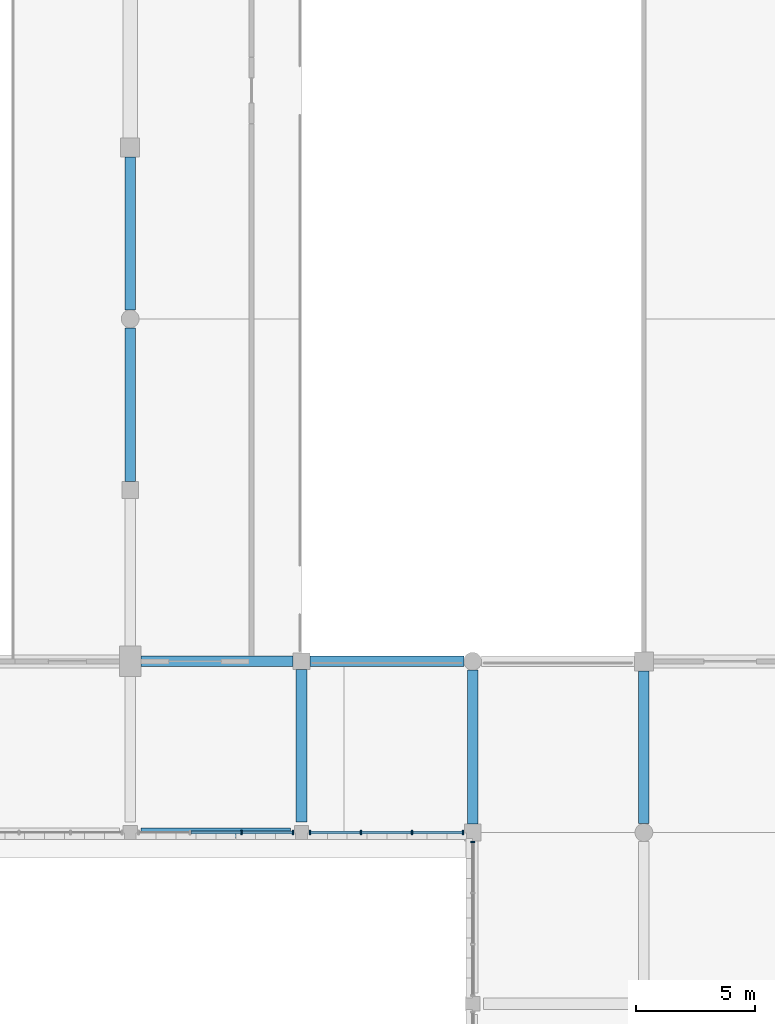
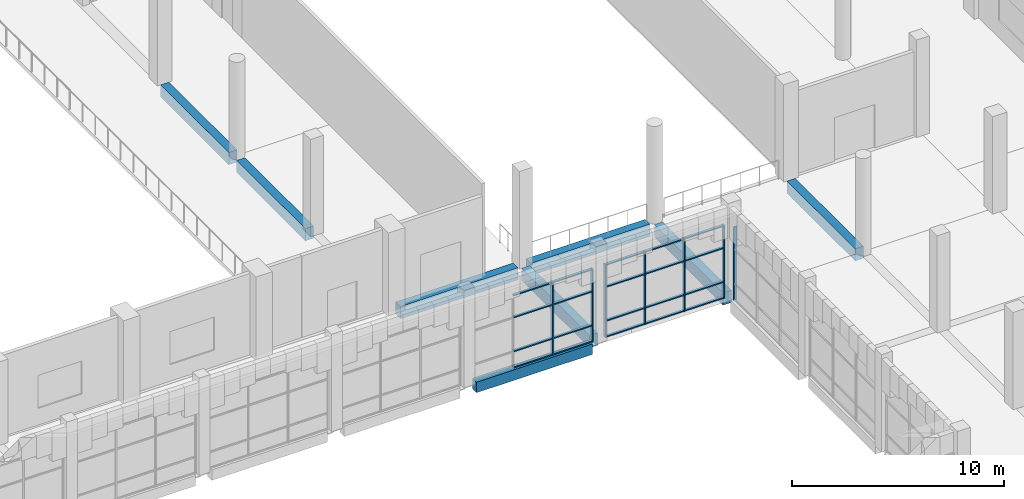
# One storey, part 24 of 80: 27 members, 8 beams, 3 elements without a shape of their own.
"""IFC4 building model written with IfcOpenShell, lengths in metres."""

import ifcopenshell
import ifcopenshell.guid

model = None  # the IFC model being written
_history = None  # IfcOwnerHistory: only IFC2X3 demands one
_inside = {}  # id of a spatial element -> (the spatial element, [elements in it])
_under = {}  # id of a project, library or spatial element -> (it, [spatial elements below it])
_declared = {}  # id of a project -> (the project, [libraries it declares])
_typed = {}  # id of a type object -> (the type object, [elements of that type])
_made_of = {}  # id of a material, layer set ... -> (it, [elements and type objects made of it])


def new_model(schema):
    """Start an empty IFC model of exactly this schema.

    Asked for "IFC4X3", IfcOpenShell would pick the latest addendum, in which some entities
    have other attributes; the version numbers below select the first issue.
    IFC2X3 requires an IfcOwnerHistory on every rooted entity: one is made here for all.
    """
    global model, _history
    if schema == "IFC4X3":
        model = ifcopenshell.file(schema_version=(4, 3, 0, 0))
    else:
        model = ifcopenshell.file(schema=schema)
    _inside.clear()
    _under.clear()
    _declared.clear()
    _typed.clear()
    _made_of.clear()
    _history = None
    if model.schema == "IFC2X3":
        org = make("IfcOrganization", Name="unknown")
        user = make(
            "IfcPersonAndOrganization",
            ThePerson=make("IfcPerson", FamilyName="unknown"),
            TheOrganization=org,
        )
        app = make(
            "IfcApplication",
            ApplicationDeveloper=org,
            Version="unknown",
            ApplicationFullName="unknown",
            ApplicationIdentifier="unknown",
        )
        _history = make(
            "IfcOwnerHistory",
            OwningUser=user,
            OwningApplication=app,
            ChangeAction="ADDED",
            CreationDate=0,
        )
    return model


def make(cls, **values):
    """One entity of the class cls with the attributes given. An attribute that is None is left unset."""
    return model.create_entity(
        cls, **{name: value for name, value in values.items() if value is not None}
    )


def rooted(cls, **values):
    """An entity with a GlobalId (a new one), such as an element, a storey or a relation."""
    return make(cls, GlobalId=ifcopenshell.guid.new(), OwnerHistory=_history, **values)


def si_unit(unit_type, name, prefix=None):
    """IfcSIUnit, for example si_unit("LENGTHUNIT", "METRE", prefix="MILLI")."""
    return make("IfcSIUnit", UnitType=unit_type, Prefix=prefix, Name=name)


def assignment(units):
    """IfcUnitAssignment: the units of a project."""
    return None if units is None else make("IfcUnitAssignment", Units=units)


def point(xyz):
    """IfcCartesianPoint."""
    return None if xyz is None else make("IfcCartesianPoint", Coordinates=xyz)


def direction(xyz):
    """IfcDirection."""
    return None if xyz is None else make("IfcDirection", DirectionRatios=xyz)


def frame(location, z_axis=None, x_axis=None):
    """IfcAxis2Placement3D, a coordinate frame: its origin and axes. An axis left out is left unset."""
    return make(
        "IfcAxis2Placement3D",
        Location=point(location),
        Axis=direction(z_axis),
        RefDirection=direction(x_axis),
    )


def frame_2d(location, x_axis=None):
    """IfcAxis2Placement2D, a coordinate frame in the plane: its origin and x axis."""
    return make(
        "IfcAxis2Placement2D", Location=point(location), RefDirection=direction(x_axis)
    )


def origin():
    """The frame at (0, 0, 0) with its axes left unset."""
    return frame((0.0, 0.0, 0.0))


def origin_2d():
    """The frame at (0, 0) in the plane with its x axis left unset."""
    return frame_2d((0.0, 0.0))


def place(relative_to, where):
    """IfcLocalPlacement: puts the frame where relative to a parent placement (None: the world)."""
    return make(
        "IfcLocalPlacement", PlacementRelTo=relative_to, RelativePlacement=where
    )


def context(
    kind, dimensions, precision=None, world=None, true_north=None, identifier=None
):
    """IfcGeometricRepresentationContext, for example the 3D "Model" context."""
    return make(
        "IfcGeometricRepresentationContext",
        ContextIdentifier=identifier,
        ContextType=kind,
        CoordinateSpaceDimension=dimensions,
        Precision=precision,
        WorldCoordinateSystem=world,
        TrueNorth=true_north,
    )


def subcontext(parent, identifier, kind, view, scale=None):
    """IfcGeometricRepresentationSubContext, for example "Body" below "Model"."""
    return make(
        "IfcGeometricRepresentationSubContext",
        ContextIdentifier=identifier,
        ContextType=kind,
        ParentContext=parent,
        TargetScale=scale,
        TargetView=view,
    )


def project(units=None, contexts=None):
    """IfcProject with its units and contexts."""
    return rooted(
        "IfcProject",
        Name="project",
        RepresentationContexts=contexts,
        UnitsInContext=assignment(units),
    )


def spatial(cls, under=None, at=None, **own):
    """A site, building, storey or space (cls), placed at a placement, below another one or the project."""
    s = rooted(cls, ObjectPlacement=at, **own)
    if under is not None:
        _under.setdefault(under.id(), (under, []))[1].append(s)
    return s


def profile(cls, at=None, kind="AREA", **sizes):
    """A parametric profile (cls). Its sizes go by their IFC names, for example OverallWidth=200.0."""
    return make(cls, ProfileType=kind, Position=at, **sizes)


def rectangle(**sizes):
    """IfcRectangleProfileDef."""
    return profile("IfcRectangleProfileDef", **sizes)


def extrude(swept, where, along, depth):
    """IfcExtrudedAreaSolid: the profile swept, set in the frame where, extruded along a direction by depth."""
    return make(
        "IfcExtrudedAreaSolid",
        SweptArea=swept,
        Position=where,
        ExtrudedDirection=direction(along),
        Depth=depth,
    )


def shape(context_of_items, identifier, shape_type, items):
    """IfcShapeRepresentation: the items that make up one representation, for example the "Body"."""
    return make(
        "IfcShapeRepresentation",
        ContextOfItems=context_of_items,
        RepresentationIdentifier=identifier,
        RepresentationType=shape_type,
        Items=items,
    )


def material(Name=None, Category=None):
    """IfcMaterial."""
    return make("IfcMaterial", Name=Name, Category=Category)


def material_profile(
    of_material, cross_section, Name=None, Category=None, Priority=None
):
    """IfcMaterialProfile: a cross section and its material."""
    return make(
        "IfcMaterialProfile",
        Name=Name,
        Material=of_material,
        Profile=cross_section,
        Priority=Priority,
        Category=Category,
    )


def profile_set(profiles, Name=None, composite=None):
    """IfcMaterialProfileSet."""
    return make(
        "IfcMaterialProfileSet",
        Name=Name,
        MaterialProfiles=profiles,
        CompositeProfile=composite,
    )


def made_of(thing, what):
    """Note that an element or type object is made of a material, layer set ...; save() writes the relation."""
    if what is not None:
        _made_of.setdefault(what.id(), (what, []))[1].append(thing)
    return thing


def type_object(cls, material=None, **own):
    """A type object (cls), such as IfcWallType, which elements share."""
    return made_of(rooted(cls, **own), material)


def element(
    cls,
    number,
    at=None,
    inside=None,
    cuts=None,
    type_object=None,
    material=None,
    context=None,
    identifier="Body",
    shape_type=None,
    held_by="IfcProductDefinitionShape",
    body=None,
    shapes=None,
    **own,
):
    """One element of the class cls, such as IfcWall. Its Tag is "e" and its number.

    at: its placement. inside: the storey or other place that contains it. cuts: it is an
    opening in that element (IfcRelVoidsElement). A single representation is given by context,
    identifier, shape_type and body (its items); several are given by shapes. held_by: the class
    of the entity that holds the representations. save() writes the other relations.
    """
    e = rooted(cls, Tag="e%d" % number, ObjectPlacement=at, **own)
    if body is not None:
        shapes = [shape(context, identifier, shape_type, body)]
    if shapes is not None:
        e.Representation = make(held_by, Representations=shapes)
    if inside is not None:
        _inside.setdefault(inside.id(), (inside, []))[1].append(e)
    if cuts is not None:
        rooted(
            "IfcRelVoidsElement", RelatingBuildingElement=cuts, RelatedOpeningElement=e
        )
    if type_object is not None:
        _typed.setdefault(type_object.id(), (type_object, []))[1].append(e)
    return made_of(e, material)


def aggregate(whole, parts):
    """IfcRelAggregates: a whole, such as a stair, and the parts it consists of."""
    return rooted("IfcRelAggregates", RelatingObject=whole, RelatedObjects=parts)


def save(model, path):
    """Write the relations noted so far, then the file.

    IfcRelAggregates (storeys below a building ...), IfcRelContainedInSpatialStructure (elements
    in a storey), IfcRelDefinesByType, IfcRelAssociatesMaterial and IfcRelDeclares: one each for
    every whole, place, type object, material and project.
    """
    for whole, parts in _under.values():
        aggregate(whole, parts)
    for where, things in _inside.values():
        rooted(
            "IfcRelContainedInSpatialStructure",
            RelatedElements=things,
            RelatingStructure=where,
        )
    for kind, things in _typed.values():
        rooted("IfcRelDefinesByType", RelatedObjects=things, RelatingType=kind)
    for what, things in _made_of.values():
        rooted("IfcRelAssociatesMaterial", RelatedObjects=things, RelatingMaterial=what)
    for by, libraries in _declared.values():
        rooted("IfcRelDeclares", RelatingContext=by, RelatedDefinitions=libraries)
    model.write(path)


model = new_model("IFC4")

# Units and contexts
model_context = context("Model", 3, precision=1e-05, world=origin(), true_north=direction((0.0, 1.0)))
body_context = subcontext(model_context, "Body", "Model", "MODEL_VIEW")
ifc_project = project(units=[si_unit("LENGTHUNIT", "METRE"), si_unit("AREAUNIT", "SQUARE_METRE"), si_unit("VOLUMEUNIT", "CUBIC_METRE"), si_unit("PLANEANGLEUNIT", "RADIAN"), si_unit("MASSUNIT", "GRAM", prefix="KILO")], contexts=[model_context])

# Site, building, storey
site_placement = place(None, origin())
site = spatial("IfcSite", under=ifc_project, at=site_placement, CompositionType="ELEMENT")
building_placement = place(site_placement, origin())
building = spatial("IfcBuilding", under=site, at=building_placement, Name="Sardonyx Promenade Sports Hall", CompositionType="ELEMENT")
storey_placement = place(building_placement, frame((0.0, 0.0, 5.60009765625)))
storey = spatial("IfcBuildingStorey", under=building, at=storey_placement, Name="L01", CompositionType="ELEMENT", Elevation=5.60009765625)

# Beams
ifc_material_1 = material(Name="Concrete C40/50", Category="concrete")
ifc_material_profile_1 = material_profile(ifc_material_1, rectangle(XDim=0.449951171875, YDim=0.699951171875, at=origin_2d()))
ifc_profile_set_1 = profile_set([ifc_material_profile_1], Name="Concrete C40/50")
beam_type_1 = type_object("IfcBeamType", Name="Bm_Primary_RC700", PredefinedType="BEAM", material=ifc_profile_set_1)
beam_1_placement = place(storey_placement, frame((79.64990234375, 72.0, -0.35009765625), z_axis=(1.0, 0.0, 0.0), x_axis=(0.0, 1.0, 0.0)))
element("IfcBeam", 1, at=beam_1_placement, inside=storey, type_object=beam_type_1, Name="Beam BG01 L01 #274", PredefinedType="BEAM", context=body_context, shape_type="SweptSolid", body=[
    extrude(rectangle(XDim=0.449951171875, YDim=0.699951171875, at=origin_2d()), origin(), (0.0, 0.0, 1.0), 6.400146484375),
])
beam_2_placement = place(storey_placement, frame((86.75, 72.0, -0.35009765625), z_axis=(1.0, 0.0, 0.0), x_axis=(0.0, 1.0, 0.0)))
element("IfcBeam", 2, at=beam_2_placement, inside=storey, type_object=beam_type_1, Name="Beam BG01 L01 #275", PredefinedType="BEAM", context=body_context, shape_type="SweptSolid", body=[
    extrude(rectangle(XDim=0.449951171875, YDim=0.699951171875, at=origin_2d()), origin(), (0.0, 0.0, 1.0), 6.47509765625),
])
beam_3_placement = place(storey_placement, frame((79.199951171875, 79.550048828125, -0.35009765625), z_axis=(0.0, 1.0, 0.0), x_axis=(-1.0, 0.0, 0.0)))
element("IfcBeam", 3, at=beam_3_placement, inside=storey, type_object=beam_type_1, Name="Beam BG01 L01 #348", PredefinedType="BEAM", context=body_context, shape_type="SweptSolid", body=[
    extrude(rectangle(XDim=0.449951171875, YDim=0.699951171875, at=origin_2d()), origin(), (0.0, 0.0, 1.0), 6.474853515625),
])
beam_4_placement = place(storey_placement, frame((79.199951171875, 86.77490234375, -0.35009765625), z_axis=(0.0, 1.0, 0.0), x_axis=(-1.0, 0.0, 0.0)))
element("IfcBeam", 4, at=beam_4_placement, inside=storey, type_object=beam_type_1, Name="Beam BG01 L01 #349", PredefinedType="BEAM", context=body_context, shape_type="SweptSolid", body=[
    extrude(rectangle(XDim=0.449951171875, YDim=0.699951171875, at=origin_2d()), origin(), (0.0, 0.0, 1.0), 6.425048828125),
])
beam_5_placement = place(storey_placement, frame((86.39990234375, 65.25, -0.35009765625), z_axis=(0.0, 1.0, 0.0), x_axis=(-1.0, 0.0, 0.0)))
element("IfcBeam", 5, at=beam_5_placement, inside=storey, type_object=beam_type_1, Name="Beam BG01 L01 #357", PredefinedType="BEAM", context=body_context, shape_type="SweptSolid", body=[
    extrude(rectangle(XDim=0.449951171875, YDim=0.699951171875, at=origin_2d()), origin(), (0.0, 0.0, 1.0), 6.39990234375),
])
beam_6_placement = place(storey_placement, frame((93.60009765625, 65.14990234375, -0.35009765625), z_axis=(0.0, 1.0, 0.0), x_axis=(-1.0, 0.0, 0.0)))
element("IfcBeam", 6, at=beam_6_placement, inside=storey, type_object=beam_type_1, Name="Beam BG01 L01 #367", PredefinedType="BEAM", context=body_context, shape_type="SweptSolid", body=[
    extrude(rectangle(XDim=0.449951171875, YDim=0.699951171875, at=origin_2d()), origin(), (0.0, 0.0, 1.0), 6.47509765625),
])
beam_7_placement = place(storey_placement, frame((100.800048828125, 65.175048828125, -0.35009765625), z_axis=(0.0, 1.0, 0.0), x_axis=(-1.0, 0.0, 0.0)))
element("IfcBeam", 7, at=beam_7_placement, inside=storey, type_object=beam_type_1, Name="Beam BG01 L01 #377", PredefinedType="BEAM", context=body_context, shape_type="SweptSolid", body=[
    extrude(rectangle(XDim=0.449951171875, YDim=0.699951171875, at=origin_2d()), origin(), (0.0, 0.0, 1.0), 6.425048828125),
])
ifc_material_2 = material(Name="Concrete C40/50", Category="concrete")
ifc_material_profile_2 = material_profile(ifc_material_2, rectangle(XDim=0.39990234375, YDim=0.60009765625, at=origin_2d()))
ifc_profile_set_2 = profile_set([ifc_material_profile_2], Name="Concrete C40/50")
beam_type_2 = type_object("IfcBeamType", Name="Bm_Spandrel_RC600", PredefinedType="SPANDREL", material=ifc_profile_set_2)
beam_8_placement = place(storey_placement, frame((79.64990234375, 64.800048828125, -0.300048828125), z_axis=(1.0, 0.0, 0.0), x_axis=(0.0, 1.0, 0.0)))
element("IfcBeam", 8, at=beam_8_placement, inside=storey, type_object=beam_type_2, Name="Beam SPB1 L01 #262", PredefinedType="SPANDREL", context=body_context, shape_type="SweptSolid", body=[
    extrude(rectangle(XDim=0.39990234375, YDim=0.60009765625, at=origin_2d()), origin(), (0.0, 0.0, 1.0), 6.300048828125),
])

# Curtain wall, members
ifc_material_3 = material(Name="Aluminium 6063-T6", Category="aluminium")
curtain_wall_type = type_object("IfcCurtainWallType", Name="CW_Riwaq_L01_640", PredefinedType="USERDEFINED", material=ifc_material_3)
curtain_wall_1_placement = place(storey_placement, origin())
curtain_wall_1 = element("IfcCurtainWall", 9, at=curtain_wall_1_placement, inside=storey, type_object=curtain_wall_type, Name="Curtain wall CW18 cw:L01:137", ObjectType="CURTAIN WALL", PredefinedType="USERDEFINED")
ifc_material_4 = material(Name="Aluminium 6063-T6", Category="aluminium")
ifc_material_profile_3 = material_profile(ifc_material_4, rectangle(XDim=0.06494140625, YDim=0.175048828125, at=origin_2d()))
ifc_profile_set_3 = profile_set([ifc_material_profile_3], Name="Aluminium 6063-T6")
member_type_1 = type_object("IfcMemberType", Name="CW_Mull_175", PredefinedType="MULLION", material=ifc_profile_set_3)
member_1_placement = place(storey_placement, frame((86.047607421875, 64.800048828125, 0.0), z_axis=(0.0, 0.0, 1.0), x_axis=(-1.0, 0.0, 0.0)))
member_1 = element("IfcMember", 10, at=member_1_placement, type_object=member_type_1, Name="Mullion CM02 cw:L01:137 #1", PredefinedType="MULLION", context=body_context, shape_type="SweptSolid", body=[
    extrude(rectangle(XDim=0.06494140625, YDim=0.175048828125, at=origin_2d()), origin(), (0.0, 0.0, 1.0), 4.199951171875),
])
member_2_placement = place(storey_placement, frame((83.882568359375, 64.800048828125, 0.0), z_axis=(0.0, 0.0, 1.0), x_axis=(-1.0, 0.0, 0.0)))
member_2 = element("IfcMember", 11, at=member_2_placement, type_object=member_type_1, Name="Mullion CM02 cw:L01:137 #2", PredefinedType="MULLION", context=body_context, shape_type="SweptSolid", body=[
    extrude(rectangle(XDim=0.06494140625, YDim=0.175048828125, at=origin_2d()), origin(), (0.0, 0.0, 1.0), 4.199951171875),
])

curtain_wall_2_placement = place(storey_placement, origin())
curtain_wall_2 = element("IfcCurtainWall", 12, at=curtain_wall_2_placement, inside=storey, type_object=curtain_wall_type, Name="Curtain wall CW18 cw:L01:139", ObjectType="CURTAIN WALL", PredefinedType="USERDEFINED")
member_3_placement = place(storey_placement, frame((93.197509765625, 64.800048828125, 0.0), z_axis=(0.0, 0.0, 1.0), x_axis=(-1.0, 0.0, 0.0)))
member_3 = element("IfcMember", 13, at=member_3_placement, type_object=member_type_1, Name="Mullion CM02 cw:L01:139 #1", PredefinedType="MULLION", context=body_context, shape_type="SweptSolid", body=[
    extrude(rectangle(XDim=0.06494140625, YDim=0.175048828125, at=origin_2d()), origin(), (0.0, 0.0, 1.0), 4.199951171875),
])
member_4_placement = place(storey_placement, frame((91.049072265625, 64.800048828125, 0.0), z_axis=(0.0, 0.0, 1.0), x_axis=(-1.0, 0.0, 0.0)))
member_4 = element("IfcMember", 14, at=member_4_placement, type_object=member_type_1, Name="Mullion CM02 cw:L01:139 #2", PredefinedType="MULLION", context=body_context, shape_type="SweptSolid", body=[
    extrude(rectangle(XDim=0.06494140625, YDim=0.175048828125, at=origin_2d()), origin(), (0.0, 0.0, 1.0), 4.199951171875),
])
member_5_placement = place(storey_placement, frame((88.90087890625, 64.800048828125, 0.0), z_axis=(0.0, 0.0, 1.0), x_axis=(-1.0, 0.0, 0.0)))
member_5 = element("IfcMember", 15, at=member_5_placement, type_object=member_type_1, Name="Mullion CM02 cw:L01:139 #3", PredefinedType="MULLION", context=body_context, shape_type="SweptSolid", body=[
    extrude(rectangle(XDim=0.06494140625, YDim=0.175048828125, at=origin_2d()), origin(), (0.0, 0.0, 1.0), 4.199951171875),
])
member_6_placement = place(storey_placement, frame((86.75244140625, 64.800048828125, 0.0), z_axis=(0.0, 0.0, 1.0), x_axis=(-1.0, 0.0, 0.0)))
member_6 = element("IfcMember", 16, at=member_6_placement, type_object=member_type_1, Name="Mullion CM02 cw:L01:139 #4", PredefinedType="MULLION", context=body_context, shape_type="SweptSolid", body=[
    extrude(rectangle(XDim=0.06494140625, YDim=0.175048828125, at=origin_2d()), origin(), (0.0, 0.0, 1.0), 4.199951171875),
])

# Curtain wall, member
curtain_wall_3_placement = place(storey_placement, origin())
curtain_wall_3 = element("IfcCurtainWall", 17, at=curtain_wall_3_placement, inside=storey, type_object=curtain_wall_type, Name="Curtain wall CW18 cw:L01:145", ObjectType="CURTAIN WALL", PredefinedType="USERDEFINED")
member_7_placement = place(storey_placement, frame((93.60009765625, 64.3974609375, 0.0), z_axis=(0.0, 0.0, 1.0), x_axis=(0.0, 1.0, 0.0)))
member_7 = element("IfcMember", 18, at=member_7_placement, type_object=member_type_1, Name="Mullion CM02 cw:L01:145 #4", PredefinedType="MULLION", context=body_context, shape_type="SweptSolid", body=[
    extrude(rectangle(XDim=0.06494140625, YDim=0.175048828125, at=origin_2d()), origin(), (0.0, 0.0, 1.0), 4.199951171875),
])
aggregate(curtain_wall_3, [member_7])

# Member
ifc_material_5 = material(Name="Aluminium 6063-T6", Category="aluminium")
ifc_material_profile_4 = material_profile(ifc_material_5, rectangle(XDim=0.06494140625, YDim=0.139892578125, at=origin_2d()))
ifc_profile_set_4 = profile_set([ifc_material_profile_4], Name="Aluminium 6063-T6")
member_type_2 = type_object("IfcMemberType", Name="CW_Tran_140", PredefinedType="USERDEFINED", material=ifc_profile_set_4)
member_8_placement = place(storey_placement, frame((86.014892578125, 64.800048828125, 0.032470703125), z_axis=(-1.0, 0.0, 0.0), x_axis=(0.0, 0.0, 1.0)))
member_8 = element("IfcMember", 19, at=member_8_placement, type_object=member_type_2, Name="Transom CT02 cw:L01:137 #1", ObjectType="TRANSOM", PredefinedType="USERDEFINED", context=body_context, shape_type="SweptSolid", body=[
    extrude(rectangle(XDim=0.06494140625, YDim=0.139892578125, at=origin_2d()), origin(), (0.0, 0.0, 1.0), 2.099853515625),
])

member_9_placement = place(storey_placement, frame((86.014892578125, 64.800048828125, 0.949951171875), z_axis=(-1.0, 0.0, 0.0), x_axis=(0.0, 0.0, 1.0)))
member_9 = element("IfcMember", 20, at=member_9_placement, type_object=member_type_2, Name="Transom CT02 cw:L01:137 #2", ObjectType="TRANSOM", PredefinedType="USERDEFINED", context=body_context, shape_type="SweptSolid", body=[
    extrude(rectangle(XDim=0.06494140625, YDim=0.139892578125, at=origin_2d()), origin(), (0.0, 0.0, 1.0), 2.099853515625),
])

member_10_placement = place(storey_placement, frame((86.014892578125, 64.800048828125, 2.89990234375), z_axis=(-1.0, 0.0, 0.0), x_axis=(0.0, 0.0, 1.0)))
member_10 = element("IfcMember", 21, at=member_10_placement, type_object=member_type_2, Name="Transom CT02 cw:L01:137 #3", ObjectType="TRANSOM", PredefinedType="USERDEFINED", context=body_context, shape_type="SweptSolid", body=[
    extrude(rectangle(XDim=0.06494140625, YDim=0.139892578125, at=origin_2d()), origin(), (0.0, 0.0, 1.0), 2.099853515625),
])

member_11_placement = place(storey_placement, frame((86.014892578125, 64.800048828125, 4.16748046875), z_axis=(-1.0, 0.0, 0.0), x_axis=(0.0, 0.0, 1.0)))
member_11 = element("IfcMember", 22, at=member_11_placement, type_object=member_type_2, Name="Transom CT02 cw:L01:137 #4", ObjectType="TRANSOM", PredefinedType="USERDEFINED", context=body_context, shape_type="SweptSolid", body=[
    extrude(rectangle(XDim=0.06494140625, YDim=0.139892578125, at=origin_2d()), origin(), (0.0, 0.0, 1.0), 2.099853515625),
])

member_12_placement = place(storey_placement, frame((83.85009765625, 64.800048828125, 0.032470703125), z_axis=(-1.0, 0.0, 0.0), x_axis=(0.0, 0.0, 1.0)))
member_12 = element("IfcMember", 23, at=member_12_placement, type_object=member_type_2, Name="Transom CT02 cw:L01:137 #5", ObjectType="TRANSOM", PredefinedType="USERDEFINED", context=body_context, shape_type="SweptSolid", body=[
    extrude(rectangle(XDim=0.06494140625, YDim=0.139892578125, at=origin_2d()), origin(), (0.0, 0.0, 1.0), 2.10009765625),
])

member_13_placement = place(storey_placement, frame((83.85009765625, 64.800048828125, 0.949951171875), z_axis=(-1.0, 0.0, 0.0), x_axis=(0.0, 0.0, 1.0)))
member_13 = element("IfcMember", 24, at=member_13_placement, type_object=member_type_2, Name="Transom CT02 cw:L01:137 #6", ObjectType="TRANSOM", PredefinedType="USERDEFINED", context=body_context, shape_type="SweptSolid", body=[
    extrude(rectangle(XDim=0.06494140625, YDim=0.139892578125, at=origin_2d()), origin(), (0.0, 0.0, 1.0), 2.10009765625),
])

member_14_placement = place(storey_placement, frame((83.85009765625, 64.800048828125, 2.89990234375), z_axis=(-1.0, 0.0, 0.0), x_axis=(0.0, 0.0, 1.0)))
member_14 = element("IfcMember", 25, at=member_14_placement, type_object=member_type_2, Name="Transom CT02 cw:L01:137 #7", ObjectType="TRANSOM", PredefinedType="USERDEFINED", context=body_context, shape_type="SweptSolid", body=[
    extrude(rectangle(XDim=0.06494140625, YDim=0.139892578125, at=origin_2d()), origin(), (0.0, 0.0, 1.0), 2.10009765625),
])

member_15_placement = place(storey_placement, frame((83.85009765625, 64.800048828125, 4.16748046875), z_axis=(-1.0, 0.0, 0.0), x_axis=(0.0, 0.0, 1.0)))
member_15 = element("IfcMember", 26, at=member_15_placement, type_object=member_type_2, Name="Transom CT02 cw:L01:137 #8", ObjectType="TRANSOM", PredefinedType="USERDEFINED", context=body_context, shape_type="SweptSolid", body=[
    extrude(rectangle(XDim=0.06494140625, YDim=0.139892578125, at=origin_2d()), origin(), (0.0, 0.0, 1.0), 2.10009765625),
])

aggregate(curtain_wall_1, [member_1, member_2, member_8, member_9, member_10, member_11, member_12, member_13, member_14, member_15])

member_16_placement = place(storey_placement, frame((93.1650390625, 64.800048828125, 0.032470703125), z_axis=(-1.0, 0.0, 0.0), x_axis=(0.0, 0.0, 1.0)))
member_16 = element("IfcMember", 27, at=member_16_placement, type_object=member_type_2, Name="Transom CT02 cw:L01:139 #1", ObjectType="TRANSOM", PredefinedType="USERDEFINED", context=body_context, shape_type="SweptSolid", body=[
    extrude(rectangle(XDim=0.06494140625, YDim=0.139892578125, at=origin_2d()), origin(), (0.0, 0.0, 1.0), 2.083251953125),
])

member_17_placement = place(storey_placement, frame((93.1650390625, 64.800048828125, 0.949951171875), z_axis=(-1.0, 0.0, 0.0), x_axis=(0.0, 0.0, 1.0)))
member_17 = element("IfcMember", 28, at=member_17_placement, type_object=member_type_2, Name="Transom CT02 cw:L01:139 #2", ObjectType="TRANSOM", PredefinedType="USERDEFINED", context=body_context, shape_type="SweptSolid", body=[
    extrude(rectangle(XDim=0.06494140625, YDim=0.139892578125, at=origin_2d()), origin(), (0.0, 0.0, 1.0), 2.083251953125),
])

member_18_placement = place(storey_placement, frame((93.1650390625, 64.800048828125, 2.89990234375), z_axis=(-1.0, 0.0, 0.0), x_axis=(0.0, 0.0, 1.0)))
member_18 = element("IfcMember", 29, at=member_18_placement, type_object=member_type_2, Name="Transom CT02 cw:L01:139 #3", ObjectType="TRANSOM", PredefinedType="USERDEFINED", context=body_context, shape_type="SweptSolid", body=[
    extrude(rectangle(XDim=0.06494140625, YDim=0.139892578125, at=origin_2d()), origin(), (0.0, 0.0, 1.0), 2.083251953125),
])

member_19_placement = place(storey_placement, frame((93.1650390625, 64.800048828125, 4.16748046875), z_axis=(-1.0, 0.0, 0.0), x_axis=(0.0, 0.0, 1.0)))
member_19 = element("IfcMember", 30, at=member_19_placement, type_object=member_type_2, Name="Transom CT02 cw:L01:139 #4", ObjectType="TRANSOM", PredefinedType="USERDEFINED", context=body_context, shape_type="SweptSolid", body=[
    extrude(rectangle(XDim=0.06494140625, YDim=0.139892578125, at=origin_2d()), origin(), (0.0, 0.0, 1.0), 2.083251953125),
])

member_20_placement = place(storey_placement, frame((91.0166015625, 64.800048828125, 0.032470703125), z_axis=(-1.0, 0.0, 0.0), x_axis=(0.0, 0.0, 1.0)))
member_20 = element("IfcMember", 31, at=member_20_placement, type_object=member_type_2, Name="Transom CT02 cw:L01:139 #5", ObjectType="TRANSOM", PredefinedType="USERDEFINED", context=body_context, shape_type="SweptSolid", body=[
    extrude(rectangle(XDim=0.06494140625, YDim=0.139892578125, at=origin_2d()), origin(), (0.0, 0.0, 1.0), 2.083251953125),
])

member_21_placement = place(storey_placement, frame((91.0166015625, 64.800048828125, 0.949951171875), z_axis=(-1.0, 0.0, 0.0), x_axis=(0.0, 0.0, 1.0)))
member_21 = element("IfcMember", 32, at=member_21_placement, type_object=member_type_2, Name="Transom CT02 cw:L01:139 #6", ObjectType="TRANSOM", PredefinedType="USERDEFINED", context=body_context, shape_type="SweptSolid", body=[
    extrude(rectangle(XDim=0.06494140625, YDim=0.139892578125, at=origin_2d()), origin(), (0.0, 0.0, 1.0), 2.083251953125),
])

member_22_placement = place(storey_placement, frame((91.0166015625, 64.800048828125, 2.89990234375), z_axis=(-1.0, 0.0, 0.0), x_axis=(0.0, 0.0, 1.0)))
member_22 = element("IfcMember", 33, at=member_22_placement, type_object=member_type_2, Name="Transom CT02 cw:L01:139 #7", ObjectType="TRANSOM", PredefinedType="USERDEFINED", context=body_context, shape_type="SweptSolid", body=[
    extrude(rectangle(XDim=0.06494140625, YDim=0.139892578125, at=origin_2d()), origin(), (0.0, 0.0, 1.0), 2.083251953125),
])

member_23_placement = place(storey_placement, frame((91.0166015625, 64.800048828125, 4.16748046875), z_axis=(-1.0, 0.0, 0.0), x_axis=(0.0, 0.0, 1.0)))
member_23 = element("IfcMember", 34, at=member_23_placement, type_object=member_type_2, Name="Transom CT02 cw:L01:139 #8", ObjectType="TRANSOM", PredefinedType="USERDEFINED", context=body_context, shape_type="SweptSolid", body=[
    extrude(rectangle(XDim=0.06494140625, YDim=0.139892578125, at=origin_2d()), origin(), (0.0, 0.0, 1.0), 2.083251953125),
])

member_24_placement = place(storey_placement, frame((88.868408203125, 64.800048828125, 0.032470703125), z_axis=(-1.0, 0.0, 0.0), x_axis=(0.0, 0.0, 1.0)))
member_24 = element("IfcMember", 35, at=member_24_placement, type_object=member_type_2, Name="Transom CT02 cw:L01:139 #9", ObjectType="TRANSOM", PredefinedType="USERDEFINED", context=body_context, shape_type="SweptSolid", body=[
    extrude(rectangle(XDim=0.06494140625, YDim=0.139892578125, at=origin_2d()), origin(), (0.0, 0.0, 1.0), 2.08349609375),
])

member_25_placement = place(storey_placement, frame((88.868408203125, 64.800048828125, 0.949951171875), z_axis=(-1.0, 0.0, 0.0), x_axis=(0.0, 0.0, 1.0)))
member_25 = element("IfcMember", 36, at=member_25_placement, type_object=member_type_2, Name="Transom CT02 cw:L01:139 #10", ObjectType="TRANSOM", PredefinedType="USERDEFINED", context=body_context, shape_type="SweptSolid", body=[
    extrude(rectangle(XDim=0.06494140625, YDim=0.139892578125, at=origin_2d()), origin(), (0.0, 0.0, 1.0), 2.08349609375),
])

member_26_placement = place(storey_placement, frame((88.868408203125, 64.800048828125, 2.89990234375), z_axis=(-1.0, 0.0, 0.0), x_axis=(0.0, 0.0, 1.0)))
member_26 = element("IfcMember", 37, at=member_26_placement, type_object=member_type_2, Name="Transom CT02 cw:L01:139 #11", ObjectType="TRANSOM", PredefinedType="USERDEFINED", context=body_context, shape_type="SweptSolid", body=[
    extrude(rectangle(XDim=0.06494140625, YDim=0.139892578125, at=origin_2d()), origin(), (0.0, 0.0, 1.0), 2.08349609375),
])

member_27_placement = place(storey_placement, frame((88.868408203125, 64.800048828125, 4.16748046875), z_axis=(-1.0, 0.0, 0.0), x_axis=(0.0, 0.0, 1.0)))
member_27 = element("IfcMember", 38, at=member_27_placement, type_object=member_type_2, Name="Transom CT02 cw:L01:139 #12", ObjectType="TRANSOM", PredefinedType="USERDEFINED", context=body_context, shape_type="SweptSolid", body=[
    extrude(rectangle(XDim=0.06494140625, YDim=0.139892578125, at=origin_2d()), origin(), (0.0, 0.0, 1.0), 2.08349609375),
])

aggregate(curtain_wall_2, [member_3, member_4, member_5, member_6, member_16, member_17, member_18, member_19, member_20, member_21, member_22, member_23, member_24, member_25, member_26, member_27])

save(model, "model.ifc")
